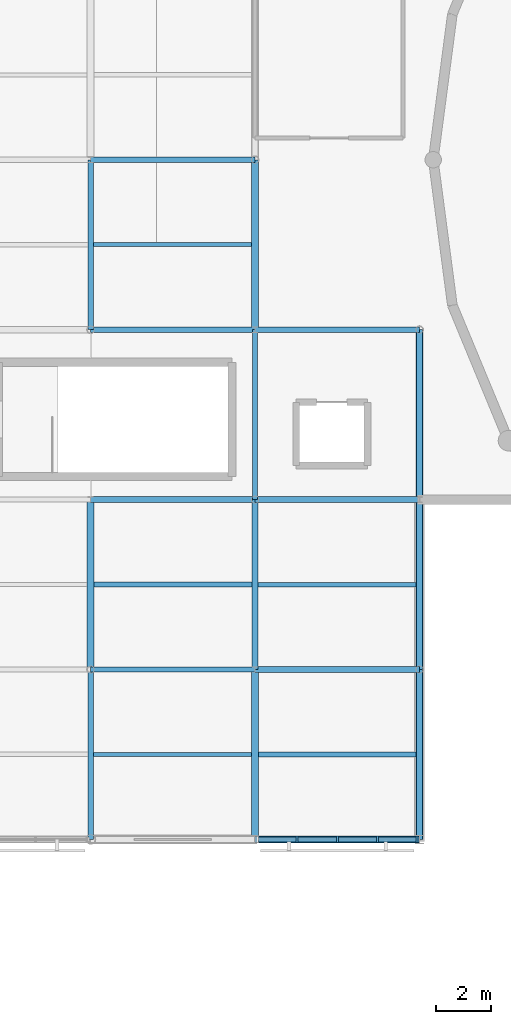
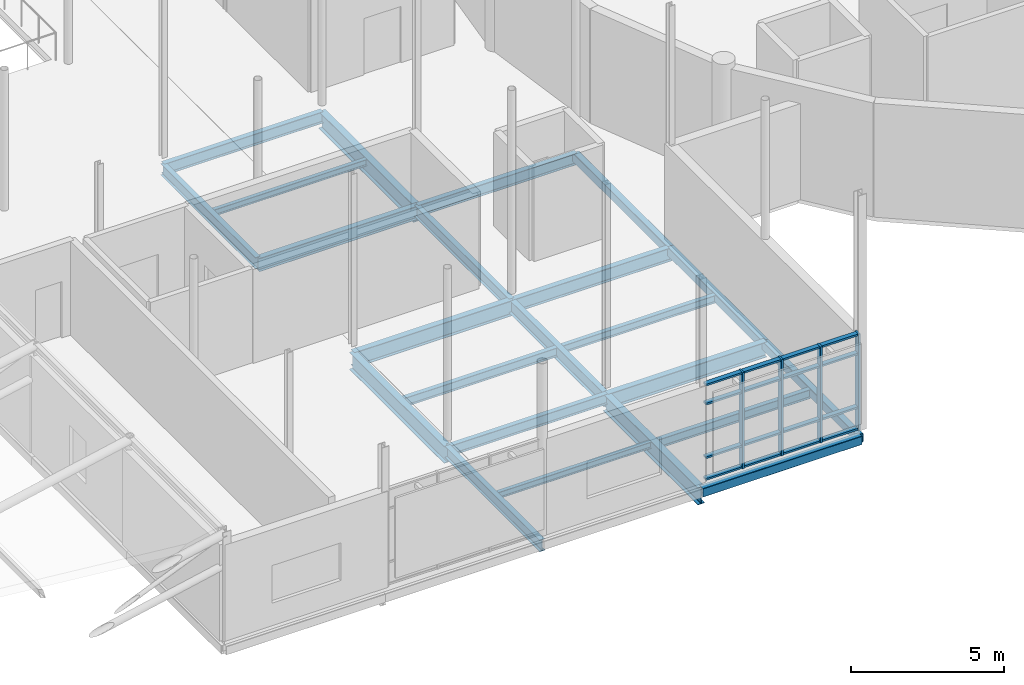
# One storey, part 21 of 66: 23 beams, 20 members, 1 element without a shape of its own.
"""IFC4 building model written with IfcOpenShell, lengths in metres."""

from ifc_helpers import new_model, si_unit, direction, frame, origin, origin_2d, place, context, subcontext, project, spatial, rectangle, hollow_rectangle, i_section, extrude, material, layer, layer_set, material_profile, profile_set, type_object, element, aggregate, save


model = new_model("IFC4")

# Units and contexts
model_context = context("Model", 3, precision=1e-05, world=origin(), true_north=direction((0.0, 1.0)))
body_context = subcontext(model_context, "Body", "Model", "MODEL_VIEW")
ifc_project = project(units=[si_unit("LENGTHUNIT", "METRE"), si_unit("AREAUNIT", "SQUARE_METRE"), si_unit("VOLUMEUNIT", "CUBIC_METRE"), si_unit("PLANEANGLEUNIT", "RADIAN"), si_unit("MASSUNIT", "GRAM", prefix="KILO")], contexts=[model_context])

# Site, building, storey
site_placement = place(None, origin())
site = spatial("IfcSite", under=ifc_project, at=site_placement, CompositionType="ELEMENT")
building_placement = place(site_placement, origin())
building = spatial("IfcBuilding", under=site, at=building_placement, Name="Mirzam Square Science Centre", CompositionType="ELEMENT")
storey_placement = place(building_placement, frame((0.0, 0.0, 15.60009765625)))
storey = spatial("IfcBuildingStorey", under=building, at=storey_placement, Name="L03", CompositionType="ELEMENT", Elevation=15.60009765625)

# Beams
ifc_material_1 = material(Name="Steel S355", Category="steel")
ifc_material_profile_1 = material_profile(ifc_material_1, i_section(OverallWidth=0.1787109375, OverallDepth=0.409423828125, WebThickness=0.0087890625, FlangeThickness=0.014404296875, FilletRadius=0.01025390625, at=origin_2d()), Name="406x178x67UB")
ifc_profile_set_1 = profile_set([ifc_material_profile_1], Name="Steel S355")
beam_type_1 = type_object("IfcBeamType", Name="BM-UB406", PredefinedType="BEAM", material=ifc_profile_set_1)
beam_1_placement = place(storey_placement, frame((48.0, 43.39990234375, -0.46484375), z_axis=(1.0, 0.0, 0.0), x_axis=(0.0, 1.0, 0.0)))
element("IfcBeam", 1, at=beam_1_placement, inside=storey, type_object=beam_type_1, Name="L03 girder X9-8", PredefinedType="BEAM", context=body_context, shape_type="SweptSolid", body=[
    extrude(i_section(OverallWidth=0.1787109375, OverallDepth=0.409423828125, WebThickness=0.0087890625, FlangeThickness=0.014404296875, FilletRadius=0.01025390625, at=origin_2d()), origin(), (0.0, 0.0, 1.0), 6.0),
])
ifc_material_profile_2 = material_profile(ifc_material_1, i_section(OverallWidth=0.19140625, OverallDepth=0.4599609375, WebThickness=0.010009765625, FlangeThickness=0.01611328125, FilletRadius=0.01025390625, at=origin_2d()), Name="457x191x82UB")
ifc_profile_set_2 = profile_set([ifc_material_profile_2], Name="Steel S355")
beam_type_2 = type_object("IfcBeamType", Name="BM-UB457", PredefinedType="BEAM", material=ifc_profile_set_2)
for number, where, z_axis, x_axis, name in (
    (2, (54.0, 55.800048828125, -0.489990234375), (1.0, 0.0, 0.0), (0.0, 1.0, 0.0), "L03 girder X10-10"),
    (3, (48.0, 62.0, -0.489990234375), (1.0, 0.0, 0.0), (0.0, 1.0, 0.0), "L03 girder X9-11"),
):
    element("IfcBeam", number, at=place(storey_placement, frame(where, z_axis=z_axis, x_axis=x_axis)), inside=storey, type_object=beam_type_2, Name=name, PredefinedType="BEAM", context=body_context, shape_type="SweptSolid", body=[
        extrude(i_section(OverallWidth=0.19140625, OverallDepth=0.4599609375, WebThickness=0.010009765625, FlangeThickness=0.01611328125, FilletRadius=0.01025390625, at=origin_2d()), origin(), (0.0, 0.0, 1.0), 6.0),
    ])
for number, where, z_axis, x_axis, name in (
    (4, (48.0, 37.199951171875, -0.489990234375), (0.0, 1.0, 0.0), (-1.0, 0.0, 0.0), "L03 girder Y9-7"),
    (5, (48.0, 55.800048828125, -0.489990234375), (0.0, 1.0, 0.0), (-1.0, 0.0, 0.0), "L03 girder Y9-10"),
    (6, (54.0, 49.60009765625, -0.489990234375), (0.0, 1.0, 0.0), (-1.0, 0.0, 0.0), "L03 girder Y10-9"),
):
    element("IfcBeam", number, at=place(storey_placement, frame(where, z_axis=z_axis, x_axis=x_axis)), inside=storey, type_object=beam_type_2, Name=name, PredefinedType="BEAM", context=body_context, shape_type="SweptSolid", body=[
        extrude(i_section(OverallWidth=0.19140625, OverallDepth=0.4599609375, WebThickness=0.010009765625, FlangeThickness=0.01611328125, FilletRadius=0.01025390625, at=origin_2d()), origin(), (0.0, 0.0, 1.0), 6.199951171875),
    ])
ifc_material_profile_3 = material_profile(ifc_material_1, i_section(OverallWidth=0.2099609375, OverallDepth=0.53662109375, WebThickness=0.0107421875, FlangeThickness=0.017333984375, FilletRadius=0.0126953125, at=origin_2d()), Name="533x210x101UB")
ifc_profile_set_3 = profile_set([ifc_material_profile_3], Name="Steel S355")
beam_type_3 = type_object("IfcBeamType", Name="BM-UB533", PredefinedType="BEAM", material=ifc_profile_set_3)
for number, where, z_axis, x_axis, name in (
    (7, (54.0, 49.60009765625, -0.528564453125), (1.0, 0.0, 0.0), (0.0, 1.0, 0.0), "L03 girder X10-9"),
    (8, (48.0, 55.800048828125, -0.528564453125), (1.0, 0.0, 0.0), (0.0, 1.0, 0.0), "L03 girder X9-10"),
):
    element("IfcBeam", number, at=place(storey_placement, frame(where, z_axis=z_axis, x_axis=x_axis)), inside=storey, type_object=beam_type_3, Name=name, PredefinedType="BEAM", context=body_context, shape_type="SweptSolid", body=[
        extrude(i_section(OverallWidth=0.2099609375, OverallDepth=0.53662109375, WebThickness=0.0107421875, FlangeThickness=0.017333984375, FilletRadius=0.0126953125, at=origin_2d()), origin(), (0.0, 0.0, 1.0), 6.0),
    ])
beam_2_placement = place(storey_placement, frame((54.0, 43.39990234375, -0.528564453125), z_axis=(0.0, 1.0, 0.0), x_axis=(-1.0, 0.0, 0.0)))
element("IfcBeam", 9, at=beam_2_placement, inside=storey, type_object=beam_type_3, Name="L03 girder Y10-8", PredefinedType="BEAM", context=body_context, shape_type="SweptSolid", body=[
    extrude(i_section(OverallWidth=0.2099609375, OverallDepth=0.53662109375, WebThickness=0.0107421875, FlangeThickness=0.017333984375, FilletRadius=0.0126953125, at=origin_2d()), origin(), (0.0, 0.0, 1.0), 6.2001953125),
])
ifc_material_profile_4 = material_profile(ifc_material_1, i_section(OverallWidth=0.22900390625, OverallDepth=0.6123046875, WebThickness=0.011962890625, FlangeThickness=0.01953125, FilletRadius=0.0126953125, at=origin_2d()), Name="610x229x125UB")
ifc_profile_set_4 = profile_set([ifc_material_profile_4], Name="Steel S355")
beam_type_4 = type_object("IfcBeamType", Name="BM-UB610", PredefinedType="BEAM", material=ifc_profile_set_4)
for number, where, z_axis, x_axis, name in (
    (10, (54.0, 43.39990234375, -0.566162109375), (1.0, 0.0, 0.0), (0.0, 1.0, 0.0), "L03 girder X10-8"),
    (11, (48.0, 49.60009765625, -0.566162109375), (1.0, 0.0, 0.0), (0.0, 1.0, 0.0), "L03 girder X9-9"),
):
    element("IfcBeam", number, at=place(storey_placement, frame(where, z_axis=z_axis, x_axis=x_axis)), inside=storey, type_object=beam_type_4, Name=name, PredefinedType="BEAM", context=body_context, shape_type="SweptSolid", body=[
        extrude(i_section(OverallWidth=0.22900390625, OverallDepth=0.6123046875, WebThickness=0.011962890625, FlangeThickness=0.01953125, FilletRadius=0.0126953125, at=origin_2d()), origin(), (0.0, 0.0, 1.0), 6.0),
    ])
ifc_material_profile_5 = material_profile(ifc_material_1, i_section(OverallWidth=0.25439453125, OverallDepth=0.6875, WebThickness=0.01318359375, FlangeThickness=0.02099609375, FilletRadius=0.01513671875, at=origin_2d()), Name="686x254x152UB")
ifc_profile_set_5 = profile_set([ifc_material_profile_5], Name="Steel S355")
beam_type_5 = type_object("IfcBeamType", Name="BM-UB686", PredefinedType="BEAM", material=ifc_profile_set_5)
beam_3_placement = place(storey_placement, frame((48.0, 43.39990234375, -0.60400390625), z_axis=(0.0, 1.0, 0.0), x_axis=(-1.0, 0.0, 0.0)))
element("IfcBeam", 12, at=beam_3_placement, inside=storey, type_object=beam_type_5, Name="L03 girder Y9-8", PredefinedType="BEAM", context=body_context, shape_type="SweptSolid", body=[
    extrude(i_section(OverallWidth=0.25439453125, OverallDepth=0.6875, WebThickness=0.01318359375, FlangeThickness=0.02099609375, FilletRadius=0.01513671875, at=origin_2d()), origin(), (0.0, 0.0, 1.0), 6.2001953125),
])
for number, where, z_axis, x_axis, name in (
    (13, (54.0, 37.199951171875, -0.60400390625), (0.0, 1.0, 0.0), (-1.0, 0.0, 0.0), "L03 girder Y10-7"),
    (14, (54.0, 55.800048828125, -0.60400390625), (0.0, 1.0, 0.0), (-1.0, 0.0, 0.0), "L03 girder Y10-10"),
):
    element("IfcBeam", number, at=place(storey_placement, frame(where, z_axis=z_axis, x_axis=x_axis)), inside=storey, type_object=beam_type_5, Name=name, PredefinedType="BEAM", context=body_context, shape_type="SweptSolid", body=[
        extrude(i_section(OverallWidth=0.25439453125, OverallDepth=0.6875, WebThickness=0.01318359375, FlangeThickness=0.02099609375, FilletRadius=0.01513671875, at=origin_2d()), origin(), (0.0, 0.0, 1.0), 6.199951171875),
    ])

# Curtain wall, members
ifc_material_2 = material(Name="Anodised Aluminium and Low-E Solar Glass", Category="aluminium")
ifc_layer = layer(ifc_material_2, 0.159912109375)
ifc_layer_set = layer_set([ifc_layer], Name="CW-COURT-B")
curtain_wall_type = type_object("IfcCurtainWallType", Name="CW-COURT-B", PredefinedType="USERDEFINED", material=ifc_layer_set)
curtain_wall_placement = place(storey_placement, origin())
curtain_wall = element("IfcCurtainWall", 15, at=curtain_wall_placement, inside=storey, type_object=curtain_wall_type, Name="L03 unitised curtain wall 35", ObjectType="UNITISED CURTAIN WALL", PredefinedType="USERDEFINED")
ifc_material_3 = material(Name="Anodised Architectural Aluminium 6063-T6", Category="aluminium")
ifc_material_profile_6 = material_profile(ifc_material_3, rectangle(XDim=0.074951171875, YDim=0.239990234375, at=origin_2d()), Name="ALU-MULL-240x75x5")
ifc_profile_set_6 = profile_set([ifc_material_profile_6], Name="Anodised Architectural Aluminium 6063-T6")
member_type_1 = type_object("IfcMemberType", Name="CWM-240", PredefinedType="MULLION", material=ifc_profile_set_6)
member_1_placement = place(storey_placement, frame((55.527587890625, 37.199951171875, 0.0), z_axis=(0.0, 0.0, 1.0), x_axis=(1.0, 0.0, 0.0)))
member_1 = element("IfcMember", 16, at=member_1_placement, type_object=member_type_1, Name="CW-04 mullion 2", PredefinedType="MULLION", context=body_context, shape_type="SweptSolid", body=[
    extrude(rectangle(XDim=0.074951171875, YDim=0.239990234375, at=origin_2d()), origin(), (0.0, 0.0, 1.0), 3.83984375),
])
member_2_placement = place(storey_placement, frame((57.0, 37.199951171875, 0.0), z_axis=(0.0, 0.0, 1.0), x_axis=(1.0, 0.0, 0.0)))
member_2 = element("IfcMember", 17, at=member_2_placement, type_object=member_type_1, Name="CW-04 mullion 3", PredefinedType="MULLION", context=body_context, shape_type="SweptSolid", body=[
    extrude(rectangle(XDim=0.074951171875, YDim=0.239990234375, at=origin_2d()), origin(), (0.0, 0.0, 1.0), 3.83984375),
])
member_3_placement = place(storey_placement, frame((58.472412109375, 37.199951171875, 0.0), z_axis=(0.0, 0.0, 1.0), x_axis=(1.0, 0.0, 0.0)))
member_3 = element("IfcMember", 18, at=member_3_placement, type_object=member_type_1, Name="CW-04 mullion 4", PredefinedType="MULLION", context=body_context, shape_type="SweptSolid", body=[
    extrude(rectangle(XDim=0.074951171875, YDim=0.239990234375, at=origin_2d()), origin(), (0.0, 0.0, 1.0), 3.83984375),
])
member_4_placement = place(storey_placement, frame((59.907470703125, 37.199951171875, 0.0), z_axis=(0.0, 0.0, 1.0), x_axis=(1.0, 0.0, 0.0)))
member_4 = element("IfcMember", 19, at=member_4_placement, type_object=member_type_1, Name="CW-04 mullion 5", PredefinedType="MULLION", context=body_context, shape_type="SweptSolid", body=[
    extrude(rectangle(XDim=0.074951171875, YDim=0.239990234375, at=origin_2d()), origin(), (0.0, 0.0, 1.0), 3.83984375),
])
ifc_material_profile_7 = material_profile(ifc_material_3, rectangle(XDim=0.179931640625, YDim=0.074951171875, at=origin_2d()), Name="ALU-TRAN-180x75x5")
ifc_profile_set_7 = profile_set([ifc_material_profile_7], Name="Anodised Architectural Aluminium 6063-T6")
member_type_2 = type_object("IfcMemberType", Name="CWT-180", PredefinedType="USERDEFINED", material=ifc_profile_set_7)
member_5_placement = place(storey_placement, frame((54.1298828125, 37.199951171875, 0.037353515625), z_axis=(1.0, 0.0, 0.0), x_axis=(0.0, 1.0, 0.0)))
member_5 = element("IfcMember", 20, at=member_5_placement, type_object=member_type_2, Name="CW-04 transom 1.1", ObjectType="TRANSOM", PredefinedType="USERDEFINED", context=body_context, shape_type="SweptSolid", body=[
    extrude(rectangle(XDim=0.179931640625, YDim=0.074951171875, at=origin_2d()), origin(), (0.0, 0.0, 1.0), 1.360107421875),
])
member_6_placement = place(storey_placement, frame((54.1298828125, 37.199951171875, 0.89990234375), z_axis=(1.0, 0.0, 0.0), x_axis=(0.0, 1.0, 0.0)))
member_6 = element("IfcMember", 21, at=member_6_placement, type_object=member_type_2, Name="CW-04 transom 1.2", ObjectType="TRANSOM", PredefinedType="USERDEFINED", context=body_context, shape_type="SweptSolid", body=[
    extrude(rectangle(XDim=0.179931640625, YDim=0.074951171875, at=origin_2d()), origin(), (0.0, 0.0, 1.0), 1.360107421875),
])
member_7_placement = place(storey_placement, frame((54.1298828125, 37.199951171875, 3.039794921875), z_axis=(1.0, 0.0, 0.0), x_axis=(0.0, 1.0, 0.0)))
member_7 = element("IfcMember", 22, at=member_7_placement, type_object=member_type_2, Name="CW-04 transom 1.3", ObjectType="TRANSOM", PredefinedType="USERDEFINED", context=body_context, shape_type="SweptSolid", body=[
    extrude(rectangle(XDim=0.179931640625, YDim=0.074951171875, at=origin_2d()), origin(), (0.0, 0.0, 1.0), 1.360107421875),
])
member_8_placement = place(storey_placement, frame((54.1298828125, 37.199951171875, 3.802490234375), z_axis=(1.0, 0.0, 0.0), x_axis=(0.0, 1.0, 0.0)))
member_8 = element("IfcMember", 23, at=member_8_placement, type_object=member_type_2, Name="CW-04 transom 1.4", ObjectType="TRANSOM", PredefinedType="USERDEFINED", context=body_context, shape_type="SweptSolid", body=[
    extrude(rectangle(XDim=0.179931640625, YDim=0.074951171875, at=origin_2d()), origin(), (0.0, 0.0, 1.0), 1.360107421875),
])
member_9_placement = place(storey_placement, frame((55.56494140625, 37.199951171875, 0.037353515625), z_axis=(1.0, 0.0, 0.0), x_axis=(0.0, 1.0, 0.0)))
member_9 = element("IfcMember", 24, at=member_9_placement, type_object=member_type_2, Name="CW-04 transom 2.1", ObjectType="TRANSOM", PredefinedType="USERDEFINED", context=body_context, shape_type="SweptSolid", body=[
    extrude(rectangle(XDim=0.179931640625, YDim=0.074951171875, at=origin_2d()), origin(), (0.0, 0.0, 1.0), 1.3974609375),
])
member_10_placement = place(storey_placement, frame((55.56494140625, 37.199951171875, 0.89990234375), z_axis=(1.0, 0.0, 0.0), x_axis=(0.0, 1.0, 0.0)))
member_10 = element("IfcMember", 25, at=member_10_placement, type_object=member_type_2, Name="CW-04 transom 2.2", ObjectType="TRANSOM", PredefinedType="USERDEFINED", context=body_context, shape_type="SweptSolid", body=[
    extrude(rectangle(XDim=0.179931640625, YDim=0.074951171875, at=origin_2d()), origin(), (0.0, 0.0, 1.0), 1.3974609375),
])
member_11_placement = place(storey_placement, frame((55.56494140625, 37.199951171875, 3.039794921875), z_axis=(1.0, 0.0, 0.0), x_axis=(0.0, 1.0, 0.0)))
member_11 = element("IfcMember", 26, at=member_11_placement, type_object=member_type_2, Name="CW-04 transom 2.3", ObjectType="TRANSOM", PredefinedType="USERDEFINED", context=body_context, shape_type="SweptSolid", body=[
    extrude(rectangle(XDim=0.179931640625, YDim=0.074951171875, at=origin_2d()), origin(), (0.0, 0.0, 1.0), 1.3974609375),
])
member_12_placement = place(storey_placement, frame((55.56494140625, 37.199951171875, 3.802490234375), z_axis=(1.0, 0.0, 0.0), x_axis=(0.0, 1.0, 0.0)))
member_12 = element("IfcMember", 27, at=member_12_placement, type_object=member_type_2, Name="CW-04 transom 2.4", ObjectType="TRANSOM", PredefinedType="USERDEFINED", context=body_context, shape_type="SweptSolid", body=[
    extrude(rectangle(XDim=0.179931640625, YDim=0.074951171875, at=origin_2d()), origin(), (0.0, 0.0, 1.0), 1.3974609375),
])
member_13_placement = place(storey_placement, frame((57.03759765625, 37.199951171875, 0.037353515625), z_axis=(1.0, 0.0, 0.0), x_axis=(0.0, 1.0, 0.0)))
member_13 = element("IfcMember", 28, at=member_13_placement, type_object=member_type_2, Name="CW-04 transom 3.1", ObjectType="TRANSOM", PredefinedType="USERDEFINED", context=body_context, shape_type="SweptSolid", body=[
    extrude(rectangle(XDim=0.179931640625, YDim=0.074951171875, at=origin_2d()), origin(), (0.0, 0.0, 1.0), 1.3974609375),
])
member_14_placement = place(storey_placement, frame((57.03759765625, 37.199951171875, 0.89990234375), z_axis=(1.0, 0.0, 0.0), x_axis=(0.0, 1.0, 0.0)))
member_14 = element("IfcMember", 29, at=member_14_placement, type_object=member_type_2, Name="CW-04 transom 3.2", ObjectType="TRANSOM", PredefinedType="USERDEFINED", context=body_context, shape_type="SweptSolid", body=[
    extrude(rectangle(XDim=0.179931640625, YDim=0.074951171875, at=origin_2d()), origin(), (0.0, 0.0, 1.0), 1.3974609375),
])
member_15_placement = place(storey_placement, frame((57.03759765625, 37.199951171875, 3.039794921875), z_axis=(1.0, 0.0, 0.0), x_axis=(0.0, 1.0, 0.0)))
member_15 = element("IfcMember", 30, at=member_15_placement, type_object=member_type_2, Name="CW-04 transom 3.3", ObjectType="TRANSOM", PredefinedType="USERDEFINED", context=body_context, shape_type="SweptSolid", body=[
    extrude(rectangle(XDim=0.179931640625, YDim=0.074951171875, at=origin_2d()), origin(), (0.0, 0.0, 1.0), 1.3974609375),
])
member_16_placement = place(storey_placement, frame((57.03759765625, 37.199951171875, 3.802490234375), z_axis=(1.0, 0.0, 0.0), x_axis=(0.0, 1.0, 0.0)))
member_16 = element("IfcMember", 31, at=member_16_placement, type_object=member_type_2, Name="CW-04 transom 3.4", ObjectType="TRANSOM", PredefinedType="USERDEFINED", context=body_context, shape_type="SweptSolid", body=[
    extrude(rectangle(XDim=0.179931640625, YDim=0.074951171875, at=origin_2d()), origin(), (0.0, 0.0, 1.0), 1.3974609375),
])
member_17_placement = place(storey_placement, frame((58.510009765625, 37.199951171875, 0.037353515625), z_axis=(1.0, 0.0, 0.0), x_axis=(0.0, 1.0, 0.0)))
member_17 = element("IfcMember", 32, at=member_17_placement, type_object=member_type_2, Name="CW-04 transom 4.1", ObjectType="TRANSOM", PredefinedType="USERDEFINED", context=body_context, shape_type="SweptSolid", body=[
    extrude(rectangle(XDim=0.179931640625, YDim=0.074951171875, at=origin_2d()), origin(), (0.0, 0.0, 1.0), 1.360107421875),
])
member_18_placement = place(storey_placement, frame((58.510009765625, 37.199951171875, 0.89990234375), z_axis=(1.0, 0.0, 0.0), x_axis=(0.0, 1.0, 0.0)))
member_18 = element("IfcMember", 33, at=member_18_placement, type_object=member_type_2, Name="CW-04 transom 4.2", ObjectType="TRANSOM", PredefinedType="USERDEFINED", context=body_context, shape_type="SweptSolid", body=[
    extrude(rectangle(XDim=0.179931640625, YDim=0.074951171875, at=origin_2d()), origin(), (0.0, 0.0, 1.0), 1.360107421875),
])
member_19_placement = place(storey_placement, frame((58.510009765625, 37.199951171875, 3.039794921875), z_axis=(1.0, 0.0, 0.0), x_axis=(0.0, 1.0, 0.0)))
member_19 = element("IfcMember", 34, at=member_19_placement, type_object=member_type_2, Name="CW-04 transom 4.3", ObjectType="TRANSOM", PredefinedType="USERDEFINED", context=body_context, shape_type="SweptSolid", body=[
    extrude(rectangle(XDim=0.179931640625, YDim=0.074951171875, at=origin_2d()), origin(), (0.0, 0.0, 1.0), 1.360107421875),
])
member_20_placement = place(storey_placement, frame((58.510009765625, 37.199951171875, 3.802490234375), z_axis=(1.0, 0.0, 0.0), x_axis=(0.0, 1.0, 0.0)))
member_20 = element("IfcMember", 35, at=member_20_placement, type_object=member_type_2, Name="CW-04 transom 4.4", ObjectType="TRANSOM", PredefinedType="USERDEFINED", context=body_context, shape_type="SweptSolid", body=[
    extrude(rectangle(XDim=0.179931640625, YDim=0.074951171875, at=origin_2d()), origin(), (0.0, 0.0, 1.0), 1.360107421875),
])
aggregate(curtain_wall, [member_1, member_2, member_3, member_4, member_5, member_6, member_7, member_8, member_9, member_10, member_11, member_12, member_13, member_14, member_15, member_16, member_17, member_18, member_19, member_20])

# Beams
ifc_material_profile_8 = material_profile(ifc_material_1, i_section(OverallWidth=0.146484375, OverallDepth=0.256103515625, WebThickness=0.00634765625, FlangeThickness=0.010986328125, FilletRadius=0.007568359375, at=origin_2d()), Name="254x146x37UB")
ifc_profile_set_8 = profile_set([ifc_material_profile_8], Name="Steel S355")
beam_type_6 = type_object("IfcBeamType", Name="JS-UB254", PredefinedType="JOIST", material=ifc_profile_set_8)
for number, where, z_axis, x_axis, name in (
    (36, (48.095703125, 40.300048828125, -0.38818359375), (1.0, 0.0, 0.0), (0.0, 1.0, 0.0), "L03 composite joist 9-7"),
    (37, (48.095703125, 58.89990234375, -0.38818359375), (1.0, 0.0, 0.0), (0.0, 1.0, 0.0), "L03 composite joist 9-10"),
):
    element("IfcBeam", number, at=place(storey_placement, frame(where, z_axis=z_axis, x_axis=x_axis)), inside=storey, type_object=beam_type_6, Name=name, PredefinedType="JOIST", context=body_context, shape_type="SweptSolid", body=[
        extrude(i_section(OverallWidth=0.146484375, OverallDepth=0.256103515625, WebThickness=0.00634765625, FlangeThickness=0.010986328125, FilletRadius=0.007568359375, at=origin_2d()), origin(), (0.0, 0.0, 1.0), 5.777099609375),
    ])
ifc_material_profile_9 = material_profile(ifc_material_1, i_section(OverallWidth=0.165771484375, OverallDepth=0.306640625, WebThickness=0.006591796875, FlangeThickness=0.01171875, FilletRadius=0.0087890625, at=origin_2d()), Name="305x165x46UB")
ifc_profile_set_9 = profile_set([ifc_material_profile_9], Name="Steel S355")
beam_type_7 = type_object("IfcBeamType", Name="JS-UB305", PredefinedType="JOIST", material=ifc_profile_set_9)
beam_4_placement = place(storey_placement, frame((54.10498046875, 46.5, -0.413330078125), z_axis=(1.0, 0.0, 0.0), x_axis=(0.0, 1.0, 0.0)))
element("IfcBeam", 38, at=beam_4_placement, inside=storey, type_object=beam_type_7, Name="L03 composite joist 10-8", PredefinedType="JOIST", context=body_context, shape_type="SweptSolid", body=[
    extrude(i_section(OverallWidth=0.165771484375, OverallDepth=0.306640625, WebThickness=0.006591796875, FlangeThickness=0.01171875, FilletRadius=0.0087890625, at=origin_2d()), origin(), (0.0, 0.0, 1.0), 5.77001953125),
])
ifc_material_profile_10 = material_profile(ifc_material_1, i_section(OverallWidth=0.172119140625, OverallDepth=0.35791015625, WebThickness=0.008056640625, FlangeThickness=0.012939453125, FilletRadius=0.01025390625, at=origin_2d()), Name="356x171x57UB")
ifc_profile_set_10 = profile_set([ifc_material_profile_10], Name="Steel S355")
beam_type_8 = type_object("IfcBeamType", Name="JS-UB356", PredefinedType="JOIST", material=ifc_profile_set_10)
beam_5_placement = place(storey_placement, frame((48.127197265625, 46.5, -0.439208984375), z_axis=(1.0, 0.0, 0.0), x_axis=(0.0, 1.0, 0.0)))
element("IfcBeam", 39, at=beam_5_placement, inside=storey, type_object=beam_type_8, Name="L03 composite joist 9-8", PredefinedType="JOIST", context=body_context, shape_type="SweptSolid", body=[
    extrude(i_section(OverallWidth=0.172119140625, OverallDepth=0.35791015625, WebThickness=0.008056640625, FlangeThickness=0.012939453125, FilletRadius=0.01025390625, at=origin_2d()), origin(), (0.0, 0.0, 1.0), 5.767822265625),
])
beam_6_placement = place(storey_placement, frame((54.127197265625, 40.300048828125, -0.439208984375), z_axis=(1.0, 0.0, 0.0), x_axis=(0.0, 1.0, 0.0)))
element("IfcBeam", 40, at=beam_6_placement, inside=storey, type_object=beam_type_8, Name="L03 composite joist 10-7", PredefinedType="JOIST", context=body_context, shape_type="SweptSolid", body=[
    extrude(i_section(OverallWidth=0.172119140625, OverallDepth=0.35791015625, WebThickness=0.008056640625, FlangeThickness=0.012939453125, FilletRadius=0.01025390625, at=origin_2d()), origin(), (0.0, 0.0, 1.0), 5.747802734375),
])
ifc_material_profile_11 = material_profile(ifc_material_1, hollow_rectangle(XDim=0.25, YDim=0.35009765625, WallThickness=0.012451171875, InnerFilletRadius=0.012451171875, OuterFilletRadius=0.02490234375, at=origin_2d()), Name="350x250x12.5RHS")
ifc_profile_set_11 = profile_set([ifc_material_profile_11], Name="Steel S355")
beam_type_9 = type_object("IfcBeamType", Name="SP-RHS350", PredefinedType="SPANDREL", material=ifc_profile_set_11)
beam_7_placement = place(storey_placement, frame((54.0, 37.199951171875, -0.43505859375), z_axis=(1.0, 0.0, 0.0), x_axis=(0.0, 1.0, 0.0)))
element("IfcBeam", 41, at=beam_7_placement, inside=storey, type_object=beam_type_9, Name="L03 girder X10-7", PredefinedType="SPANDREL", context=body_context, shape_type="SweptSolid", body=[
    extrude(hollow_rectangle(XDim=0.25, YDim=0.35009765625, WallThickness=0.012451171875, InnerFilletRadius=0.012451171875, OuterFilletRadius=0.02490234375, at=origin_2d()), origin(), (0.0, 0.0, 1.0), 6.0),
])
beam_8_placement = place(storey_placement, frame((60.0, 37.199951171875, -0.43505859375), z_axis=(0.0, 1.0, 0.0), x_axis=(-1.0, 0.0, 0.0)))
element("IfcBeam", 42, at=beam_8_placement, inside=storey, type_object=beam_type_9, Name="L03 girder Y11-7", PredefinedType="SPANDREL", context=body_context, shape_type="SweptSolid", body=[
    extrude(hollow_rectangle(XDim=0.25, YDim=0.35009765625, WallThickness=0.012451171875, InnerFilletRadius=0.012451171875, OuterFilletRadius=0.02490234375, at=origin_2d()), origin(), (0.0, 0.0, 1.0), 6.199951171875),
])
beam_9_placement = place(storey_placement, frame((60.0, 43.39990234375, -0.43505859375), z_axis=(0.0, 1.0, 0.0), x_axis=(-1.0, 0.0, 0.0)))
element("IfcBeam", 43, at=beam_9_placement, inside=storey, type_object=beam_type_9, Name="L03 girder Y11-8", PredefinedType="SPANDREL", context=body_context, shape_type="SweptSolid", body=[
    extrude(hollow_rectangle(XDim=0.25, YDim=0.35009765625, WallThickness=0.012451171875, InnerFilletRadius=0.012451171875, OuterFilletRadius=0.02490234375, at=origin_2d()), origin(), (0.0, 0.0, 1.0), 6.2001953125),
])
beam_10_placement = place(storey_placement, frame((60.0, 49.60009765625, -0.43505859375), z_axis=(0.0, 1.0, 0.0), x_axis=(-1.0, 0.0, 0.0)))
element("IfcBeam", 44, at=beam_10_placement, inside=storey, type_object=beam_type_9, Name="L03 girder Y11-9", PredefinedType="SPANDREL", context=body_context, shape_type="SweptSolid", body=[
    extrude(hollow_rectangle(XDim=0.25, YDim=0.35009765625, WallThickness=0.012451171875, InnerFilletRadius=0.012451171875, OuterFilletRadius=0.02490234375, at=origin_2d()), origin(), (0.0, 0.0, 1.0), 6.199951171875),
])

save(model, "model.ifc")
